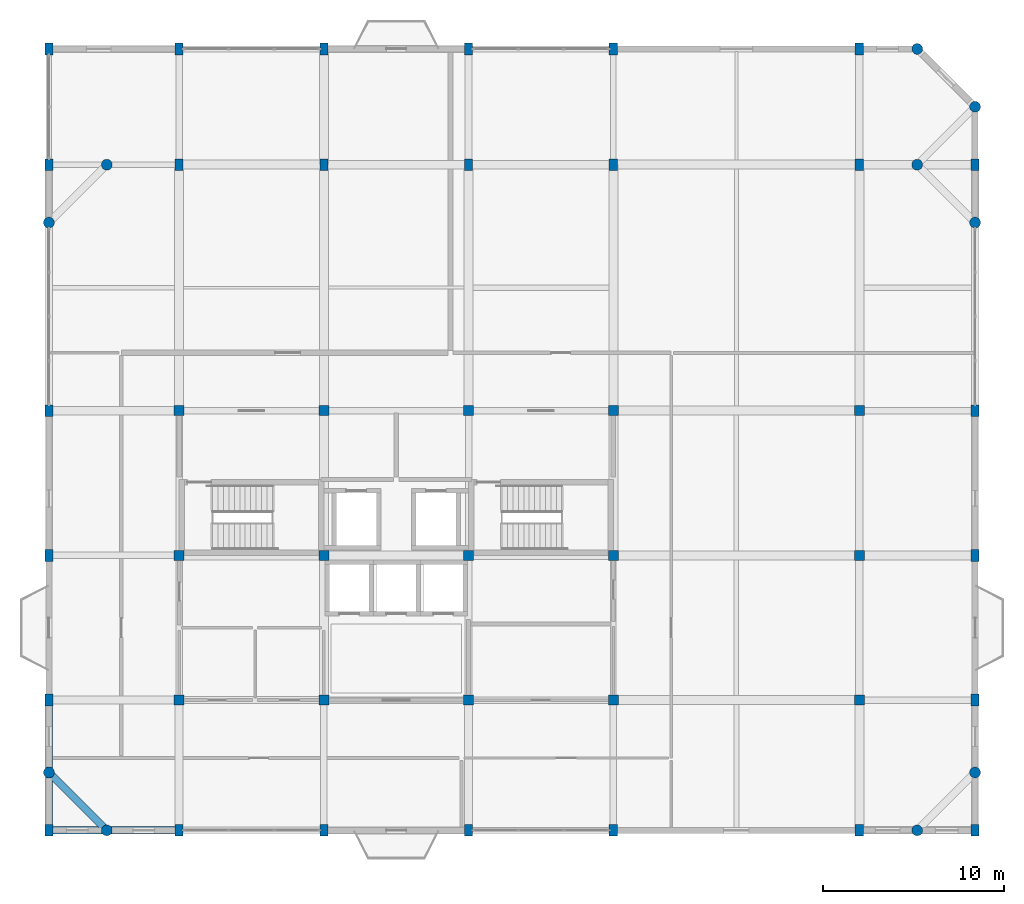
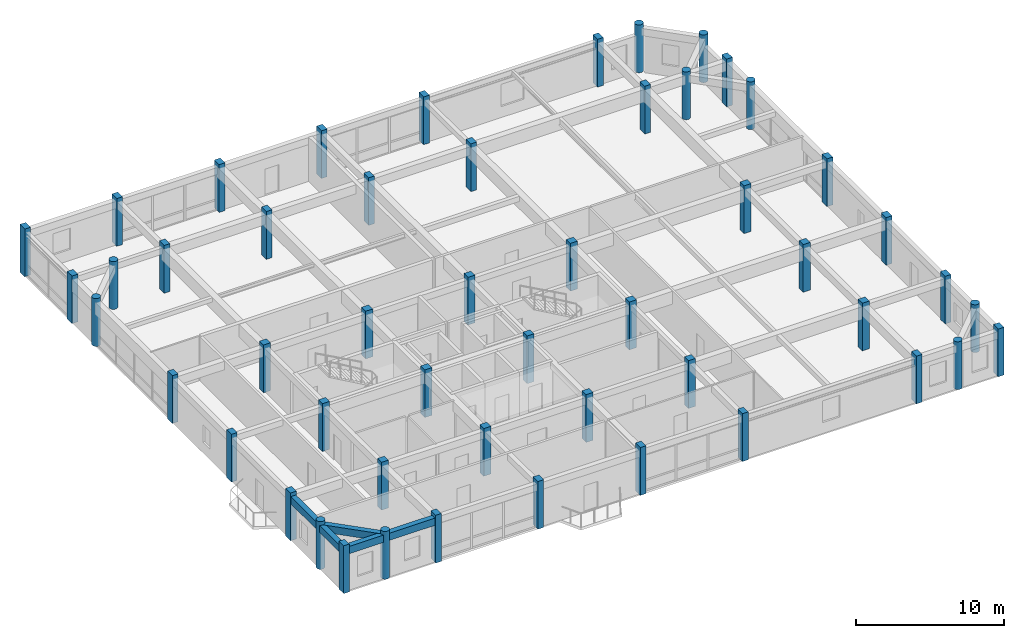
# One storey, part 1 of 13: 51 columns, 3 beams.
"""IFC4 building model written with IfcOpenShell, lengths in metres."""

from ifc_helpers import new_model, si_unit, direction, frame, origin, origin_2d, place, context, subcontext, project, spatial, rectangle, circle, extrude, material, material_profile, profile_set, type_object, element, save


model = new_model("IFC4")

# Units and contexts
model_context = context("Model", 3, precision=1e-05, world=origin(), true_north=direction((0.0, 1.0)))
body_context = subcontext(model_context, "Body", "Model", "MODEL_VIEW")
ifc_project = project(units=[si_unit("LENGTHUNIT", "METRE"), si_unit("AREAUNIT", "SQUARE_METRE"), si_unit("VOLUMEUNIT", "CUBIC_METRE"), si_unit("PLANEANGLEUNIT", "RADIAN"), si_unit("MASSUNIT", "GRAM", prefix="KILO")], contexts=[model_context])

# Site, building, storey
site_placement = place(None, origin())
site = spatial("IfcSite", under=ifc_project, at=site_placement, CompositionType="ELEMENT")
building_placement = place(site_placement, origin())
building = spatial("IfcBuilding", under=site, at=building_placement, Name="Vellmiral Cinema and Media Centre", CompositionType="ELEMENT")
storey_placement = place(building_placement, frame((0.0, 0.0, 58.699951171875)))
storey = spatial("IfcBuildingStorey", under=building, at=storey_placement, Name="L14", CompositionType="ELEMENT", Elevation=58.699951171875)

# Columns
ifc_material_1 = material(Name="Concrete C40/50", Category="concrete")
ifc_material_profile_1 = material_profile(ifc_material_1, rectangle(XDim=0.449951171875, YDim=0.64990234375, at=origin_2d()), Name="RC 450x650")
ifc_profile_set_1 = profile_set([ifc_material_profile_1], Name="Concrete C40/50")
column_type_1 = type_object("IfcColumnType", Name="COL-RC-450x650", PredefinedType="COLUMN", material=ifc_profile_set_1)
for number, where, z_axis, x_axis, name in (
    (1, (116.800048828125, 72.0, 0.0), (0.0, 0.0, 1.0), (1.0, 0.0, 0.0), "Column L14-001"),
    (2, (116.800048828125, 79.199951171875, 0.0), (0.0, 0.0, 1.0), (1.0, 0.0, 0.0), "Column L14-003"),
    (3, (116.800048828125, 87.199951171875, 0.0), (0.0, 0.0, 1.0), (1.0, 0.0, 0.0), "Column L14-004"),
    (4, (116.800048828125, 95.199951171875, 0.0), (0.0, 0.0, 1.0), (1.0, 0.0, 0.0), "Column L14-005"),
    (5, (116.800048828125, 108.800048828125, 0.0), (0.0, 0.0, 1.0), (1.0, 0.0, 0.0), "Column L14-007"),
    (6, (116.800048828125, 115.199951171875, 0.0), (0.0, 0.0, 1.0), (1.0, 0.0, 0.0), "Column L14-008"),
    (7, (124.0, 72.0, 0.0), (0.0, 0.0, 1.0), (1.0, 0.0, 0.0), "Column L14-011"),
    (8, (124.0, 108.800048828125, 0.0), (0.0, 0.0, 1.0), (1.0, 0.0, 0.0), "Column L14-015"),
    (9, (124.0, 115.199951171875, 0.0), (0.0, 0.0, 1.0), (1.0, 0.0, 0.0), "Column L14-016"),
    (10, (132.0, 72.0, 0.0), (0.0, 0.0, 1.0), (1.0, 0.0, 0.0), "Column L14-017"),
    (11, (132.0, 108.800048828125, 0.0), (0.0, 0.0, 1.0), (1.0, 0.0, 0.0), "Column L14-021"),
    (12, (132.0, 115.199951171875, 0.0), (0.0, 0.0, 1.0), (1.0, 0.0, 0.0), "Column L14-022"),
    (13, (140.0, 72.0, 0.0), (0.0, 0.0, 1.0), (1.0, 0.0, 0.0), "Column L14-023"),
    (14, (140.0, 108.800048828125, 0.0), (0.0, 0.0, 1.0), (1.0, 0.0, 0.0), "Column L14-027"),
    (15, (140.0, 115.199951171875, 0.0), (0.0, 0.0, 1.0), (1.0, 0.0, 0.0), "Column L14-028"),
    (16, (148.0, 72.0, 0.0), (0.0, 0.0, 1.0), (1.0, 0.0, 0.0), "Column L14-029"),
    (17, (148.0, 108.800048828125, 0.0), (0.0, 0.0, 1.0), (1.0, 0.0, 0.0), "Column L14-033"),
    (18, (148.0, 115.199951171875, 0.0), (0.0, 0.0, 1.0), (1.0, 0.0, 0.0), "Column L14-034"),
    (19, (161.60009765625, 72.0, 0.0), (0.0, 0.0, 1.0), (1.0, 0.0, 0.0), "Column L14-035"),
    (20, (161.60009765625, 108.800048828125, 0.0), (0.0, 0.0, 1.0), (1.0, 0.0, 0.0), "Column L14-039"),
    (21, (161.60009765625, 115.199951171875, 0.0), (0.0, 0.0, 1.0), (1.0, 0.0, 0.0), "Column L14-040"),
    (22, (168.0, 72.0, 0.0), (0.0, 0.0, 1.0), (1.0, 0.0, 0.0), "Column L14-044"),
    (23, (168.0, 79.199951171875, 0.0), (0.0, 0.0, 1.0), (1.0, 0.0, 0.0), "Column L14-046"),
    (24, (168.0, 87.199951171875, 0.0), (0.0, 0.0, 1.0), (1.0, 0.0, 0.0), "Column L14-047"),
    (25, (168.0, 95.199951171875, 0.0), (0.0, 0.0, 1.0), (1.0, 0.0, 0.0), "Column L14-048"),
    (26, (168.0, 108.800048828125, 0.0), (0.0, 0.0, 1.0), (1.0, 0.0, 0.0), "Column L14-050"),
):
    element("IfcColumn", number, at=place(storey_placement, frame(where, z_axis=z_axis, x_axis=x_axis)), inside=storey, type_object=column_type_1, Name=name, PredefinedType="COLUMN", context=body_context, shape_type="SweptSolid", body=[
        extrude(rectangle(XDim=0.449951171875, YDim=0.64990234375, at=origin_2d()), origin(), (0.0, 0.0, 1.0), 3.949951171875),
    ])
ifc_material_2 = material(Name="Concrete C40/50", Category="concrete")
ifc_material_profile_2 = material_profile(ifc_material_2, rectangle(XDim=0.550048828125, YDim=0.550048828125, at=origin_2d()), Name="RC 550x550")
ifc_profile_set_2 = profile_set([ifc_material_profile_2], Name="Concrete C40/50")
column_type_2 = type_object("IfcColumnType", Name="COL-RC-550x550", PredefinedType="COLUMN", material=ifc_profile_set_2)
for number, where, z_axis, x_axis, name in (
    (27, (124.0, 79.199951171875, 0.0), (0.0, 0.0, 1.0), (1.0, 0.0, 0.0), "Column L14-012"),
    (28, (124.0, 87.199951171875, 0.0), (0.0, 0.0, 1.0), (1.0, 0.0, 0.0), "Column L14-013"),
    (29, (124.0, 95.199951171875, 0.0), (0.0, 0.0, 1.0), (1.0, 0.0, 0.0), "Column L14-014"),
    (30, (132.0, 79.199951171875, 0.0), (0.0, 0.0, 1.0), (1.0, 0.0, 0.0), "Column L14-018"),
    (31, (132.0, 87.199951171875, 0.0), (0.0, 0.0, 1.0), (1.0, 0.0, 0.0), "Column L14-019"),
    (32, (132.0, 95.199951171875, 0.0), (0.0, 0.0, 1.0), (1.0, 0.0, 0.0), "Column L14-020"),
    (33, (140.0, 79.199951171875, 0.0), (0.0, 0.0, 1.0), (1.0, 0.0, 0.0), "Column L14-024"),
    (34, (140.0, 87.199951171875, 0.0), (0.0, 0.0, 1.0), (1.0, 0.0, 0.0), "Column L14-025"),
    (35, (140.0, 95.199951171875, 0.0), (0.0, 0.0, 1.0), (1.0, 0.0, 0.0), "Column L14-026"),
    (36, (148.0, 79.199951171875, 0.0), (0.0, 0.0, 1.0), (1.0, 0.0, 0.0), "Column L14-030"),
    (37, (148.0, 87.199951171875, 0.0), (0.0, 0.0, 1.0), (1.0, 0.0, 0.0), "Column L14-031"),
    (38, (148.0, 95.199951171875, 0.0), (0.0, 0.0, 1.0), (1.0, 0.0, 0.0), "Column L14-032"),
    (39, (161.60009765625, 79.199951171875, 0.0), (0.0, 0.0, 1.0), (1.0, 0.0, 0.0), "Column L14-036"),
    (40, (161.60009765625, 87.199951171875, 0.0), (0.0, 0.0, 1.0), (1.0, 0.0, 0.0), "Column L14-037"),
    (41, (161.60009765625, 95.199951171875, 0.0), (0.0, 0.0, 1.0), (1.0, 0.0, 0.0), "Column L14-038"),
):
    element("IfcColumn", number, at=place(storey_placement, frame(where, z_axis=z_axis, x_axis=x_axis)), inside=storey, type_object=column_type_2, Name=name, PredefinedType="COLUMN", context=body_context, shape_type="SweptSolid", body=[
        extrude(rectangle(XDim=0.550048828125, YDim=0.550048828125, at=origin_2d()), origin(), (0.0, 0.0, 1.0), 3.949951171875),
    ])
ifc_material_3 = material(Name="Concrete C40/50", Category="concrete")
ifc_material_profile_3 = material_profile(ifc_material_3, circle(Radius=0.300048828125, at=origin_2d()), Name="RC D600")
ifc_profile_set_3 = profile_set([ifc_material_profile_3], Name="Concrete C40/50")
column_type_3 = type_object("IfcColumnType", Name="COL-RCC-D600", PredefinedType="COLUMN", material=ifc_profile_set_3)
for number, where, z_axis, x_axis, name in (
    (42, (116.800048828125, 75.199951171875, 0.0), (0.0, 0.0, 1.0), (1.0, 0.0, 0.0), "Column L14-002"),
    (43, (116.800048828125, 105.60009765625, 0.0), (0.0, 0.0, 1.0), (1.0, 0.0, 0.0), "Column L14-006"),
    (44, (120.0, 72.0, 0.0), (0.0, 0.0, 1.0), (1.0, 0.0, 0.0), "Column L14-009"),
    (45, (120.0, 108.800048828125, 0.0), (0.0, 0.0, 1.0), (1.0, 0.0, 0.0), "Column L14-010"),
    (46, (164.800048828125, 72.0, 0.0), (0.0, 0.0, 1.0), (1.0, 0.0, 0.0), "Column L14-041"),
    (47, (164.800048828125, 108.800048828125, 0.0), (0.0, 0.0, 1.0), (1.0, 0.0, 0.0), "Column L14-042"),
    (48, (164.800048828125, 115.199951171875, 0.0), (0.0, 0.0, 1.0), (1.0, 0.0, 0.0), "Column L14-043"),
    (49, (168.0, 75.199951171875, 0.0), (0.0, 0.0, 1.0), (1.0, 0.0, 0.0), "Column L14-045"),
    (50, (168.0, 105.60009765625, 0.0), (0.0, 0.0, 1.0), (1.0, 0.0, 0.0), "Column L14-049"),
    (51, (168.0, 112.0, 0.0), (0.0, 0.0, 1.0), (1.0, 0.0, 0.0), "Column L14-051"),
):
    element("IfcColumn", number, at=place(storey_placement, frame(where, z_axis=z_axis, x_axis=x_axis)), inside=storey, type_object=column_type_3, Name=name, PredefinedType="COLUMN", context=body_context, shape_type="SweptSolid", body=[
        extrude(circle(Radius=0.300048828125, at=origin_2d()), origin(), (0.0, 0.0, 1.0), 3.949951171875),
    ])

# Beams
ifc_material_4 = material(Name="Concrete C40/50", Category="concrete")
ifc_material_profile_4 = material_profile(ifc_material_4, rectangle(XDim=0.39990234375, YDim=0.60009765625, at=origin_2d()), Name="RC 400x600")
ifc_profile_set_4 = profile_set([ifc_material_profile_4], Name="Concrete C40/50")
beam_type = type_object("IfcBeamType", Name="SPD-RC-400x600", PredefinedType="SPANDREL", material=ifc_profile_set_4)
for number, where, z_axis, x_axis, name in (
    (52, (116.800048828125, 72.0, 3.344970703125), (1.0, 0.0, 0.0), (0.0, 1.0, 0.0), "Grid Beam L14-X001"),
    (53, (116.800048828125, 72.0, 3.344970703125), (0.0, 1.0, 0.0), (-1.0, 0.0, 0.0), "Grid Beam L14-Y036"),
):
    element("IfcBeam", number, at=place(storey_placement, frame(where, z_axis=z_axis, x_axis=x_axis)), inside=storey, type_object=beam_type, Name=name, PredefinedType="SPANDREL", context=body_context, shape_type="SweptSolid", body=[
        extrude(rectangle(XDim=0.39990234375, YDim=0.60009765625, at=origin_2d()), origin(), (0.0, 0.0, 1.0), 7.199951171875),
    ])
beam_placement = place(storey_placement, frame((116.800048828125, 75.199951171875, 3.344970703125), z_axis=(0.707106781187, -0.707106781187, 0.0), x_axis=(0.707106781187, 0.707106781187, 0.0)))
element("IfcBeam", 54, at=beam_placement, inside=storey, type_object=beam_type, Name="Xamfra Chamfer Spandrel Beam L14-070", PredefinedType="SPANDREL", context=body_context, shape_type="SweptSolid", body=[
    extrude(rectangle(XDim=0.39990234375, YDim=0.60009765625, at=origin_2d()), origin(), (0.0, 0.0, 1.0), 4.525390625),
])

save(model, "model.ifc")
